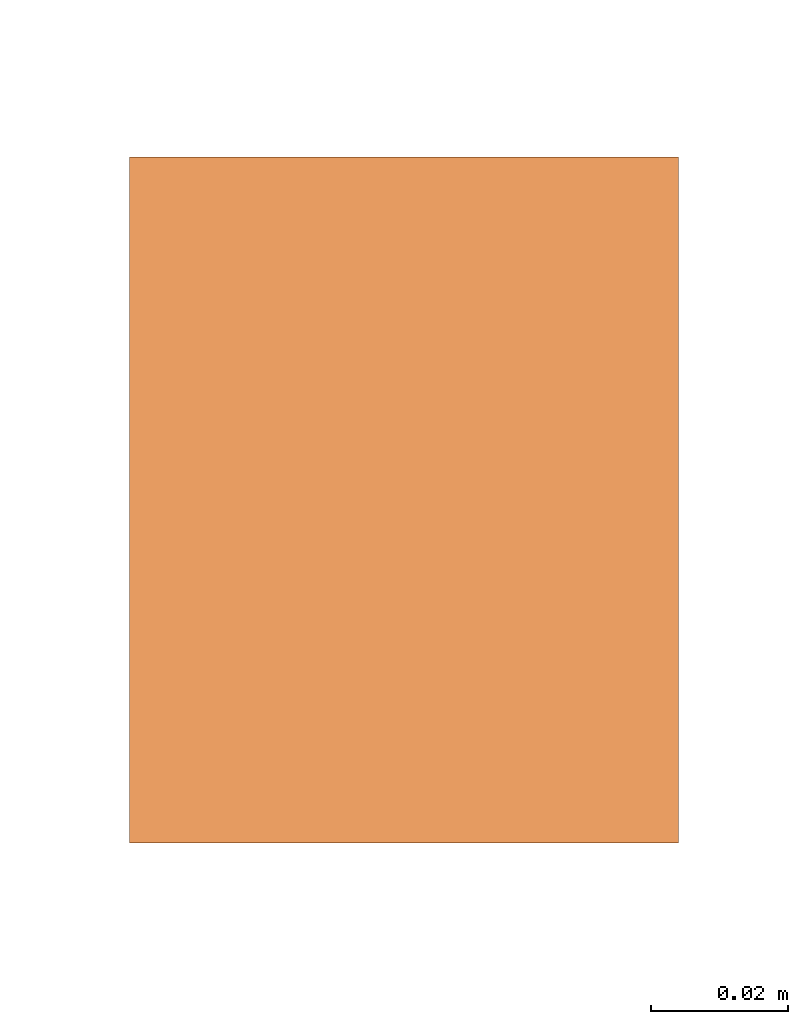
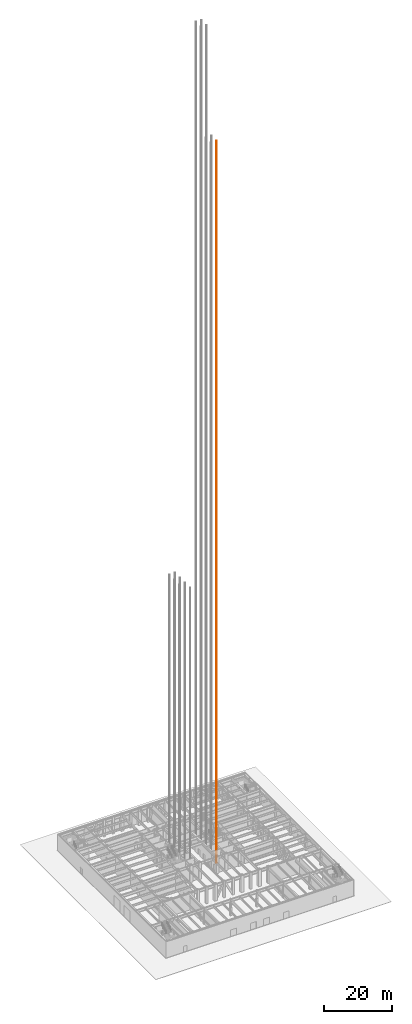
# One storey, part 29 of 35: 1 proxy.
"""IFC4 building model written with IfcOpenShell, lengths in metres."""

from ifc_helpers import new_model, si_unit, direction, frame, origin, origin_2d, place, context, subcontext, project, spatial, rectangle, extrude, material, type_object, element, save


model = new_model("IFC4")

# Units and contexts
model_context = context("Model", 3, precision=1e-05, world=origin(), true_north=direction((0.0, 1.0)))
body_context = subcontext(model_context, "Body", "Model", "MODEL_VIEW")
ifc_project = project(units=[si_unit("LENGTHUNIT", "METRE"), si_unit("AREAUNIT", "SQUARE_METRE"), si_unit("VOLUMEUNIT", "CUBIC_METRE"), si_unit("PLANEANGLEUNIT", "RADIAN"), si_unit("MASSUNIT", "GRAM", prefix="KILO")], contexts=[model_context])

# Site, building, storey
site_placement = place(None, origin())
site = spatial("IfcSite", under=ifc_project, at=site_placement, CompositionType="ELEMENT")
building_placement = place(site_placement, origin())
building = spatial("IfcBuilding", under=site, at=building_placement, Name="Chuquiago Exchange Tower", CompositionType="ELEMENT")
storey_placement = place(building_placement, origin())
storey = spatial("IfcBuildingStorey", under=building, at=storey_placement, Name="L00", CompositionType="ELEMENT", Elevation=0.0)

# Proxy
ifc_material = material(Name="Galvanised steel guide rail", Category="steel")
building_element_proxy_type = type_object("IfcBuildingElementProxyType", Name="LR lift guide rail", PredefinedType="NOTDEFINED", material=ifc_material)
proxy_placement = place(storey_placement, frame((27.93505859375, 16.5, 0.0), z_axis=(0.0, 0.0, 1.0), x_axis=(1.0, 0.0, 0.0)))
element("IfcBuildingElementProxy", 1, at=proxy_placement, inside=storey, type_object=building_element_proxy_type, Name="Lift LS1 guide rail E", PredefinedType="NOTDEFINED", context=body_context, shape_type="SweptSolid", body=[
    extrude(rectangle(XDim=0.080078125, YDim=0.10009765625, at=origin_2d()), origin(), (0.0, 0.0, 1.0), 260.60009765625),
])

save(model, "model.ifc")
